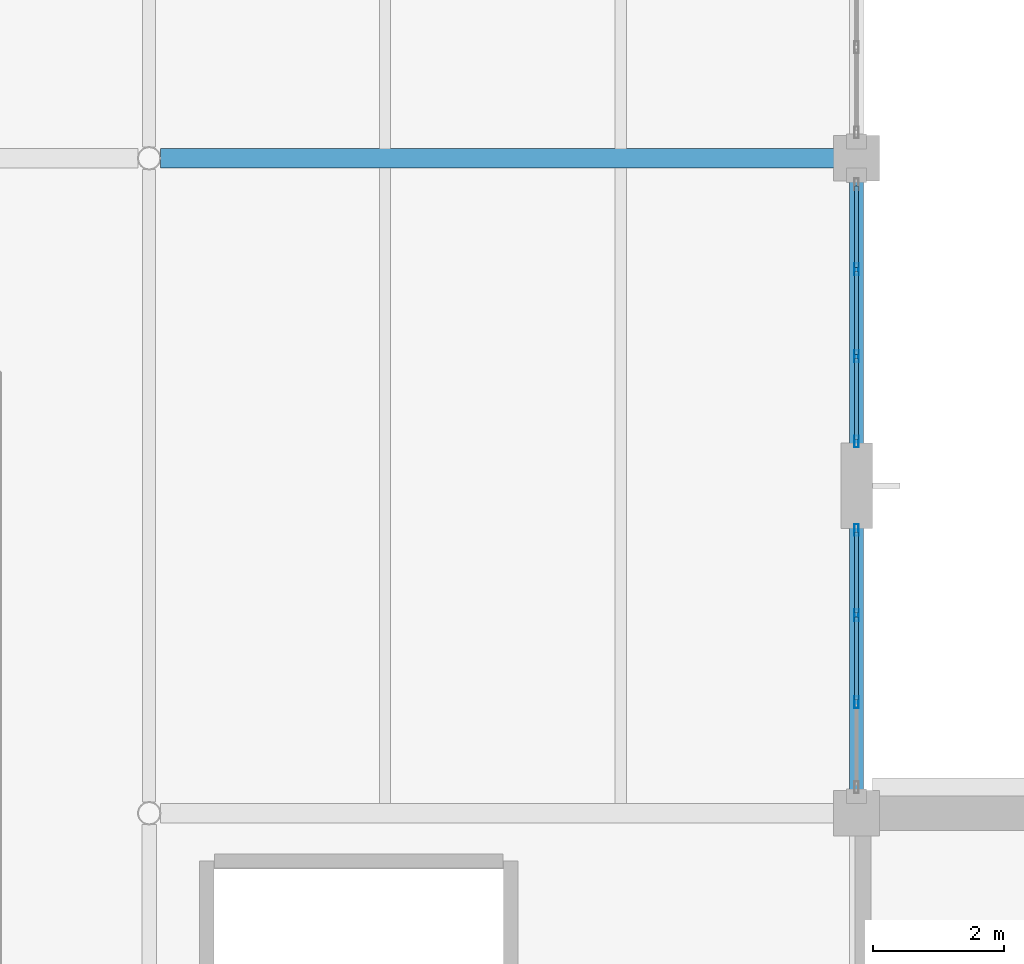
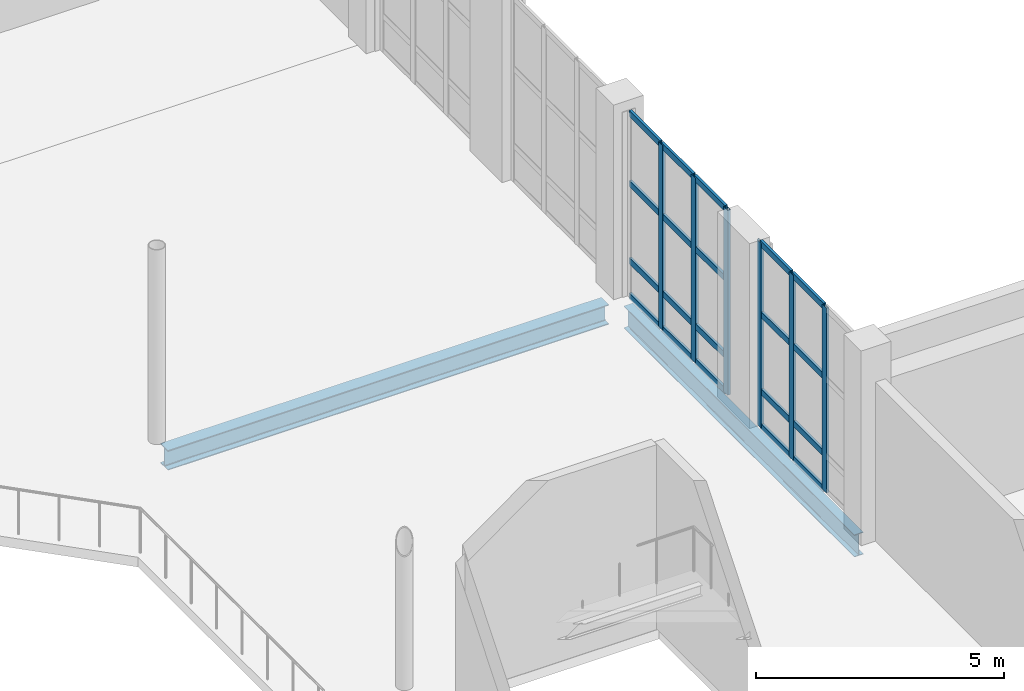
# One storey, part 42 of 92: 26 members, 2 beams, 2 elements without a shape of their own.
"""IFC4 building model written with IfcOpenShell, lengths in metres."""

from ifc_helpers import new_model, si_unit, direction, frame, origin, origin_2d, place, context, subcontext, project, spatial, hollow_rectangle, i_section, extrude, material, layer, layer_set, material_profile, profile_set, type_object, element, aggregate, save


model = new_model("IFC4")

# Units and contexts
model_context = context("Model", 3, precision=1e-05, world=origin(), true_north=direction((0.0, 1.0)))
body_context = subcontext(model_context, "Body", "Model", "MODEL_VIEW")
ifc_project = project(units=[si_unit("LENGTHUNIT", "METRE"), si_unit("AREAUNIT", "SQUARE_METRE"), si_unit("VOLUMEUNIT", "CUBIC_METRE"), si_unit("PLANEANGLEUNIT", "RADIAN"), si_unit("MASSUNIT", "GRAM", prefix="KILO")], contexts=[model_context])

# Site, building, storey
site_placement = place(None, origin())
site = spatial("IfcSite", under=ifc_project, at=site_placement, CompositionType="ELEMENT")
building_placement = place(site_placement, origin())
building = spatial("IfcBuilding", under=site, at=building_placement, Name="Tasgan Crest Museum", CompositionType="ELEMENT")
storey_placement = place(building_placement, frame((0.0, 0.0, 4.800048828125)))
storey = spatial("IfcBuildingStorey", under=building, at=storey_placement, Name="L01", CompositionType="ELEMENT", Elevation=4.800048828125)

# Beams
ifc_material_1 = material(Name="Steel S355J2", Category="steel")
ifc_material_profile_1 = material_profile(ifc_material_1, i_section(OverallWidth=0.300048828125, OverallDepth=0.489990234375, WebThickness=0.011962890625, FlangeThickness=0.02294921875, FilletRadius=0.027099609375, at=origin_2d()), Name="HEA 500")
ifc_profile_set_1 = profile_set([ifc_material_profile_1], Name="Steel S355J2")
beam_type_1 = type_object("IfcBeamType", Name="BM-G-HEA500", PredefinedType="BEAM", material=ifc_profile_set_1)
beam_1_placement = place(storey_placement, frame((97.373779296875, 72.0, -0.485107421875), z_axis=(1.0, 0.0, 0.0), x_axis=(0.0, 1.0, 0.0)))
element("IfcBeam", 1, at=beam_1_placement, inside=storey, type_object=beam_type_1, Name="Girder L01 H 97.2-108.0", PredefinedType="BEAM", context=body_context, shape_type="SweptSolid", body=[
    extrude(i_section(OverallWidth=0.300048828125, OverallDepth=0.489990234375, WebThickness=0.011962890625, FlangeThickness=0.02294921875, FilletRadius=0.027099609375, at=origin_2d()), origin(), (0.0, 0.0, 1.0), 10.2802734375),
])
ifc_material_2 = material(Name="Steel S355J2", Category="steel")
ifc_material_profile_2 = material_profile(ifc_material_2, i_section(OverallWidth=0.2099609375, OverallDepth=0.550048828125, WebThickness=0.010986328125, FlangeThickness=0.01708984375, FilletRadius=0.02392578125, at=origin_2d()), Name="IPE 550")
ifc_profile_set_2 = profile_set([ifc_material_profile_2], Name="Steel S355J2")
beam_type_2 = type_object("IfcBeamType", Name="BM-G-IPE550", PredefinedType="BEAM", material=ifc_profile_set_2)
beam_2_placement = place(storey_placement, frame((108.0, 62.344970703125, -0.51513671875), z_axis=(0.0, 1.0, 0.0), x_axis=(-1.0, 0.0, 0.0)))
element("IfcBeam", 2, at=beam_2_placement, inside=storey, type_object=beam_type_2, Name="Beam L01 11 62.0-72.0", PredefinedType="BEAM", context=body_context, shape_type="SweptSolid", body=[
    extrude(i_section(OverallWidth=0.2099609375, OverallDepth=0.550048828125, WebThickness=0.010986328125, FlangeThickness=0.01708984375, FilletRadius=0.02392578125, at=origin_2d()), origin(), (0.0, 0.0, 1.0), 9.31005859375),
])

# Curtain wall, members
ifc_material_3 = material(Name="Triple-Glazed Aluminium Curtain Wall", Category="aluminium")
ifc_layer = layer(ifc_material_3, 0.179931640625, Name="CW-DRUM-Y10-48")
ifc_layer_set = layer_set([ifc_layer], Name="Triple-Glazed Aluminium Curtain Wall")
curtain_wall_type = type_object("IfcCurtainWallType", Name="CW-DRUM-Y10-48", PredefinedType="NOTDEFINED", material=ifc_layer_set)
curtain_wall_1_placement = place(storey_placement, origin())
curtain_wall_1 = element("IfcCurtainWall", 3, at=curtain_wall_1_placement, inside=storey, type_object=curtain_wall_type, Name="Curtain wall L01 057", PredefinedType="NOTDEFINED")
ifc_material_4 = material(Name="Anodised Aluminium", Category="aluminium")
ifc_material_profile_3 = material_profile(ifc_material_4, hollow_rectangle(XDim=0.06494140625, YDim=0.179931640625, WallThickness=0.0048828125, at=origin_2d()), Name="ALU MULLION 180x65x5")
ifc_profile_set_3 = profile_set([ifc_material_profile_3], Name="Anodised Aluminium")
member_type_1 = type_object("IfcMemberType", Name="CW-MULLION-180", PredefinedType="MULLION", material=ifc_profile_set_3)
member_1_placement = place(storey_placement, frame((108.0, 63.695068359375, 0.0), z_axis=(0.0, 0.0, 1.0), x_axis=(-1.0, 0.0, 0.0)))
member_1 = element("IfcMember", 4, at=member_1_placement, type_object=member_type_1, Name="CW04 mullion 2", PredefinedType="MULLION", context=body_context, shape_type="SweptSolid", body=[
    extrude(hollow_rectangle(XDim=0.06494140625, YDim=0.179931640625, WallThickness=0.0048828125, at=origin_2d()), origin(), (0.0, 0.0, 1.0), 4.56005859375),
])
member_2_placement = place(storey_placement, frame((108.0, 65.02490234375, 0.0), z_axis=(0.0, 0.0, 1.0), x_axis=(-1.0, 0.0, 0.0)))
member_2 = element("IfcMember", 5, at=member_2_placement, type_object=member_type_1, Name="CW04 mullion 3", PredefinedType="MULLION", context=body_context, shape_type="SweptSolid", body=[
    extrude(hollow_rectangle(XDim=0.06494140625, YDim=0.179931640625, WallThickness=0.0048828125, at=origin_2d()), origin(), (0.0, 0.0, 1.0), 4.56005859375),
])
member_3_placement = place(storey_placement, frame((108.0, 66.324951171875, 0.0), z_axis=(0.0, 0.0, 1.0), x_axis=(-1.0, 0.0, 0.0)))
member_3 = element("IfcMember", 6, at=member_3_placement, type_object=member_type_1, Name="CW04 mullion 4", PredefinedType="MULLION", context=body_context, shape_type="SweptSolid", body=[
    extrude(hollow_rectangle(XDim=0.06494140625, YDim=0.179931640625, WallThickness=0.0048828125, at=origin_2d()), origin(), (0.0, 0.0, 1.0), 4.56005859375),
])

curtain_wall_2_placement = place(storey_placement, origin())
curtain_wall_2 = element("IfcCurtainWall", 7, at=curtain_wall_2_placement, inside=storey, type_object=curtain_wall_type, Name="Curtain wall L01 058", PredefinedType="NOTDEFINED")
member_4_placement = place(storey_placement, frame((108.0, 67.675048828125, 0.0), z_axis=(0.0, 0.0, 1.0), x_axis=(-1.0, 0.0, 0.0)))
member_4 = element("IfcMember", 8, at=member_4_placement, type_object=member_type_1, Name="CW04 mullion 1", PredefinedType="MULLION", context=body_context, shape_type="SweptSolid", body=[
    extrude(hollow_rectangle(XDim=0.06494140625, YDim=0.179931640625, WallThickness=0.0048828125, at=origin_2d()), origin(), (0.0, 0.0, 1.0), 4.56005859375),
])
member_5_placement = place(storey_placement, frame((108.0, 68.97509765625, 0.0), z_axis=(0.0, 0.0, 1.0), x_axis=(-1.0, 0.0, 0.0)))
member_5 = element("IfcMember", 9, at=member_5_placement, type_object=member_type_1, Name="CW04 mullion 2", PredefinedType="MULLION", context=body_context, shape_type="SweptSolid", body=[
    extrude(hollow_rectangle(XDim=0.06494140625, YDim=0.179931640625, WallThickness=0.0048828125, at=origin_2d()), origin(), (0.0, 0.0, 1.0), 4.56005859375),
])
member_6_placement = place(storey_placement, frame((108.0, 70.304931640625, 0.0), z_axis=(0.0, 0.0, 1.0), x_axis=(-1.0, 0.0, 0.0)))
member_6 = element("IfcMember", 10, at=member_6_placement, type_object=member_type_1, Name="CW04 mullion 3", PredefinedType="MULLION", context=body_context, shape_type="SweptSolid", body=[
    extrude(hollow_rectangle(XDim=0.06494140625, YDim=0.179931640625, WallThickness=0.0048828125, at=origin_2d()), origin(), (0.0, 0.0, 1.0), 4.56005859375),
])

# Member
ifc_material_5 = material(Name="Anodised Aluminium", Category="aluminium")
ifc_material_profile_4 = material_profile(ifc_material_5, hollow_rectangle(XDim=0.06005859375, YDim=0.14990234375, WallThickness=0.0048828125, at=origin_2d()), Name="ALU TRANSOM 150x60x5")
ifc_profile_set_4 = profile_set([ifc_material_profile_4], Name="Anodised Aluminium")
member_type_2 = type_object("IfcMemberType", Name="CW-TRANSOM-150", PredefinedType="USERDEFINED", material=ifc_profile_set_4)
member_7_placement = place(storey_placement, frame((108.0, 63.72509765625, 0.030029296875), z_axis=(0.0, 1.0, 0.0), x_axis=(-1.0, 0.0, 0.0)))
member_7 = element("IfcMember", 11, at=member_7_placement, type_object=member_type_2, Name="CW04 transom 2.1", ObjectType="TRANSOM", PredefinedType="USERDEFINED", context=body_context, shape_type="SweptSolid", body=[
    extrude(hollow_rectangle(XDim=0.06005859375, YDim=0.14990234375, WallThickness=0.0048828125, at=origin_2d()), origin(), (0.0, 0.0, 1.0), 1.27001953125),
])

member_8_placement = place(storey_placement, frame((108.0, 63.72509765625, 0.89990234375), z_axis=(0.0, 1.0, 0.0), x_axis=(-1.0, 0.0, 0.0)))
member_8 = element("IfcMember", 12, at=member_8_placement, type_object=member_type_2, Name="CW04 transom 2.2", ObjectType="TRANSOM", PredefinedType="USERDEFINED", context=body_context, shape_type="SweptSolid", body=[
    extrude(hollow_rectangle(XDim=0.06005859375, YDim=0.14990234375, WallThickness=0.0048828125, at=origin_2d()), origin(), (0.0, 0.0, 1.0), 1.27001953125),
])

member_9_placement = place(storey_placement, frame((108.0, 63.72509765625, 2.800048828125), z_axis=(0.0, 1.0, 0.0), x_axis=(-1.0, 0.0, 0.0)))
member_9 = element("IfcMember", 13, at=member_9_placement, type_object=member_type_2, Name="CW04 transom 2.3", ObjectType="TRANSOM", PredefinedType="USERDEFINED", context=body_context, shape_type="SweptSolid", body=[
    extrude(hollow_rectangle(XDim=0.06005859375, YDim=0.14990234375, WallThickness=0.0048828125, at=origin_2d()), origin(), (0.0, 0.0, 1.0), 1.27001953125),
])

member_10_placement = place(storey_placement, frame((108.0, 63.72509765625, 4.530029296875), z_axis=(0.0, 1.0, 0.0), x_axis=(-1.0, 0.0, 0.0)))
member_10 = element("IfcMember", 14, at=member_10_placement, type_object=member_type_2, Name="CW04 transom 2.4", ObjectType="TRANSOM", PredefinedType="USERDEFINED", context=body_context, shape_type="SweptSolid", body=[
    extrude(hollow_rectangle(XDim=0.06005859375, YDim=0.14990234375, WallThickness=0.0048828125, at=origin_2d()), origin(), (0.0, 0.0, 1.0), 1.27001953125),
])

member_11_placement = place(storey_placement, frame((108.0, 65.054931640625, 0.030029296875), z_axis=(0.0, 1.0, 0.0), x_axis=(-1.0, 0.0, 0.0)))
member_11 = element("IfcMember", 15, at=member_11_placement, type_object=member_type_2, Name="CW04 transom 3.1", ObjectType="TRANSOM", PredefinedType="USERDEFINED", context=body_context, shape_type="SweptSolid", body=[
    extrude(hollow_rectangle(XDim=0.06005859375, YDim=0.14990234375, WallThickness=0.0048828125, at=origin_2d()), origin(), (0.0, 0.0, 1.0), 1.239990234375),
])

member_12_placement = place(storey_placement, frame((108.0, 65.054931640625, 0.89990234375), z_axis=(0.0, 1.0, 0.0), x_axis=(-1.0, 0.0, 0.0)))
member_12 = element("IfcMember", 16, at=member_12_placement, type_object=member_type_2, Name="CW04 transom 3.2", ObjectType="TRANSOM", PredefinedType="USERDEFINED", context=body_context, shape_type="SweptSolid", body=[
    extrude(hollow_rectangle(XDim=0.06005859375, YDim=0.14990234375, WallThickness=0.0048828125, at=origin_2d()), origin(), (0.0, 0.0, 1.0), 1.239990234375),
])

member_13_placement = place(storey_placement, frame((108.0, 65.054931640625, 2.800048828125), z_axis=(0.0, 1.0, 0.0), x_axis=(-1.0, 0.0, 0.0)))
member_13 = element("IfcMember", 17, at=member_13_placement, type_object=member_type_2, Name="CW04 transom 3.3", ObjectType="TRANSOM", PredefinedType="USERDEFINED", context=body_context, shape_type="SweptSolid", body=[
    extrude(hollow_rectangle(XDim=0.06005859375, YDim=0.14990234375, WallThickness=0.0048828125, at=origin_2d()), origin(), (0.0, 0.0, 1.0), 1.239990234375),
])

member_14_placement = place(storey_placement, frame((108.0, 65.054931640625, 4.530029296875), z_axis=(0.0, 1.0, 0.0), x_axis=(-1.0, 0.0, 0.0)))
member_14 = element("IfcMember", 18, at=member_14_placement, type_object=member_type_2, Name="CW04 transom 3.4", ObjectType="TRANSOM", PredefinedType="USERDEFINED", context=body_context, shape_type="SweptSolid", body=[
    extrude(hollow_rectangle(XDim=0.06005859375, YDim=0.14990234375, WallThickness=0.0048828125, at=origin_2d()), origin(), (0.0, 0.0, 1.0), 1.239990234375),
])

aggregate(curtain_wall_1, [member_1, member_2, member_3, member_7, member_8, member_9, member_10, member_11, member_12, member_13, member_14])

member_15_placement = place(storey_placement, frame((108.0, 67.705078125, 0.030029296875), z_axis=(0.0, 1.0, 0.0), x_axis=(-1.0, 0.0, 0.0)))
member_15 = element("IfcMember", 19, at=member_15_placement, type_object=member_type_2, Name="CW04 transom 1.1", ObjectType="TRANSOM", PredefinedType="USERDEFINED", context=body_context, shape_type="SweptSolid", body=[
    extrude(hollow_rectangle(XDim=0.06005859375, YDim=0.14990234375, WallThickness=0.0048828125, at=origin_2d()), origin(), (0.0, 0.0, 1.0), 1.239990234375),
])

member_16_placement = place(storey_placement, frame((108.0, 67.705078125, 0.89990234375), z_axis=(0.0, 1.0, 0.0), x_axis=(-1.0, 0.0, 0.0)))
member_16 = element("IfcMember", 20, at=member_16_placement, type_object=member_type_2, Name="CW04 transom 1.2", ObjectType="TRANSOM", PredefinedType="USERDEFINED", context=body_context, shape_type="SweptSolid", body=[
    extrude(hollow_rectangle(XDim=0.06005859375, YDim=0.14990234375, WallThickness=0.0048828125, at=origin_2d()), origin(), (0.0, 0.0, 1.0), 1.239990234375),
])

member_17_placement = place(storey_placement, frame((108.0, 67.705078125, 2.800048828125), z_axis=(0.0, 1.0, 0.0), x_axis=(-1.0, 0.0, 0.0)))
member_17 = element("IfcMember", 21, at=member_17_placement, type_object=member_type_2, Name="CW04 transom 1.3", ObjectType="TRANSOM", PredefinedType="USERDEFINED", context=body_context, shape_type="SweptSolid", body=[
    extrude(hollow_rectangle(XDim=0.06005859375, YDim=0.14990234375, WallThickness=0.0048828125, at=origin_2d()), origin(), (0.0, 0.0, 1.0), 1.239990234375),
])

member_18_placement = place(storey_placement, frame((108.0, 67.705078125, 4.530029296875), z_axis=(0.0, 1.0, 0.0), x_axis=(-1.0, 0.0, 0.0)))
member_18 = element("IfcMember", 22, at=member_18_placement, type_object=member_type_2, Name="CW04 transom 1.4", ObjectType="TRANSOM", PredefinedType="USERDEFINED", context=body_context, shape_type="SweptSolid", body=[
    extrude(hollow_rectangle(XDim=0.06005859375, YDim=0.14990234375, WallThickness=0.0048828125, at=origin_2d()), origin(), (0.0, 0.0, 1.0), 1.239990234375),
])

member_19_placement = place(storey_placement, frame((108.0, 69.0048828125, 0.030029296875), z_axis=(0.0, 1.0, 0.0), x_axis=(-1.0, 0.0, 0.0)))
member_19 = element("IfcMember", 23, at=member_19_placement, type_object=member_type_2, Name="CW04 transom 2.1", ObjectType="TRANSOM", PredefinedType="USERDEFINED", context=body_context, shape_type="SweptSolid", body=[
    extrude(hollow_rectangle(XDim=0.06005859375, YDim=0.14990234375, WallThickness=0.0048828125, at=origin_2d()), origin(), (0.0, 0.0, 1.0), 1.27001953125),
])

member_20_placement = place(storey_placement, frame((108.0, 69.0048828125, 0.89990234375), z_axis=(0.0, 1.0, 0.0), x_axis=(-1.0, 0.0, 0.0)))
member_20 = element("IfcMember", 24, at=member_20_placement, type_object=member_type_2, Name="CW04 transom 2.2", ObjectType="TRANSOM", PredefinedType="USERDEFINED", context=body_context, shape_type="SweptSolid", body=[
    extrude(hollow_rectangle(XDim=0.06005859375, YDim=0.14990234375, WallThickness=0.0048828125, at=origin_2d()), origin(), (0.0, 0.0, 1.0), 1.27001953125),
])

member_21_placement = place(storey_placement, frame((108.0, 69.0048828125, 2.800048828125), z_axis=(0.0, 1.0, 0.0), x_axis=(-1.0, 0.0, 0.0)))
member_21 = element("IfcMember", 25, at=member_21_placement, type_object=member_type_2, Name="CW04 transom 2.3", ObjectType="TRANSOM", PredefinedType="USERDEFINED", context=body_context, shape_type="SweptSolid", body=[
    extrude(hollow_rectangle(XDim=0.06005859375, YDim=0.14990234375, WallThickness=0.0048828125, at=origin_2d()), origin(), (0.0, 0.0, 1.0), 1.27001953125),
])

member_22_placement = place(storey_placement, frame((108.0, 69.0048828125, 4.530029296875), z_axis=(0.0, 1.0, 0.0), x_axis=(-1.0, 0.0, 0.0)))
member_22 = element("IfcMember", 26, at=member_22_placement, type_object=member_type_2, Name="CW04 transom 2.4", ObjectType="TRANSOM", PredefinedType="USERDEFINED", context=body_context, shape_type="SweptSolid", body=[
    extrude(hollow_rectangle(XDim=0.06005859375, YDim=0.14990234375, WallThickness=0.0048828125, at=origin_2d()), origin(), (0.0, 0.0, 1.0), 1.27001953125),
])

member_23_placement = place(storey_placement, frame((108.0, 70.3349609375, 0.030029296875), z_axis=(0.0, 1.0, 0.0), x_axis=(-1.0, 0.0, 0.0)))
member_23 = element("IfcMember", 27, at=member_23_placement, type_object=member_type_2, Name="CW04 transom 3.1", ObjectType="TRANSOM", PredefinedType="USERDEFINED", context=body_context, shape_type="SweptSolid", body=[
    extrude(hollow_rectangle(XDim=0.06005859375, YDim=0.14990234375, WallThickness=0.0048828125, at=origin_2d()), origin(), (0.0, 0.0, 1.0), 1.239990234375),
])

member_24_placement = place(storey_placement, frame((108.0, 70.3349609375, 0.89990234375), z_axis=(0.0, 1.0, 0.0), x_axis=(-1.0, 0.0, 0.0)))
member_24 = element("IfcMember", 28, at=member_24_placement, type_object=member_type_2, Name="CW04 transom 3.2", ObjectType="TRANSOM", PredefinedType="USERDEFINED", context=body_context, shape_type="SweptSolid", body=[
    extrude(hollow_rectangle(XDim=0.06005859375, YDim=0.14990234375, WallThickness=0.0048828125, at=origin_2d()), origin(), (0.0, 0.0, 1.0), 1.239990234375),
])

member_25_placement = place(storey_placement, frame((108.0, 70.3349609375, 2.800048828125), z_axis=(0.0, 1.0, 0.0), x_axis=(-1.0, 0.0, 0.0)))
member_25 = element("IfcMember", 29, at=member_25_placement, type_object=member_type_2, Name="CW04 transom 3.3", ObjectType="TRANSOM", PredefinedType="USERDEFINED", context=body_context, shape_type="SweptSolid", body=[
    extrude(hollow_rectangle(XDim=0.06005859375, YDim=0.14990234375, WallThickness=0.0048828125, at=origin_2d()), origin(), (0.0, 0.0, 1.0), 1.239990234375),
])

member_26_placement = place(storey_placement, frame((108.0, 70.3349609375, 4.530029296875), z_axis=(0.0, 1.0, 0.0), x_axis=(-1.0, 0.0, 0.0)))
member_26 = element("IfcMember", 30, at=member_26_placement, type_object=member_type_2, Name="CW04 transom 3.4", ObjectType="TRANSOM", PredefinedType="USERDEFINED", context=body_context, shape_type="SweptSolid", body=[
    extrude(hollow_rectangle(XDim=0.06005859375, YDim=0.14990234375, WallThickness=0.0048828125, at=origin_2d()), origin(), (0.0, 0.0, 1.0), 1.239990234375),
])

aggregate(curtain_wall_2, [member_4, member_5, member_6, member_15, member_16, member_17, member_18, member_19, member_20, member_21, member_22, member_23, member_24, member_25, member_26])

save(model, "model.ifc")
